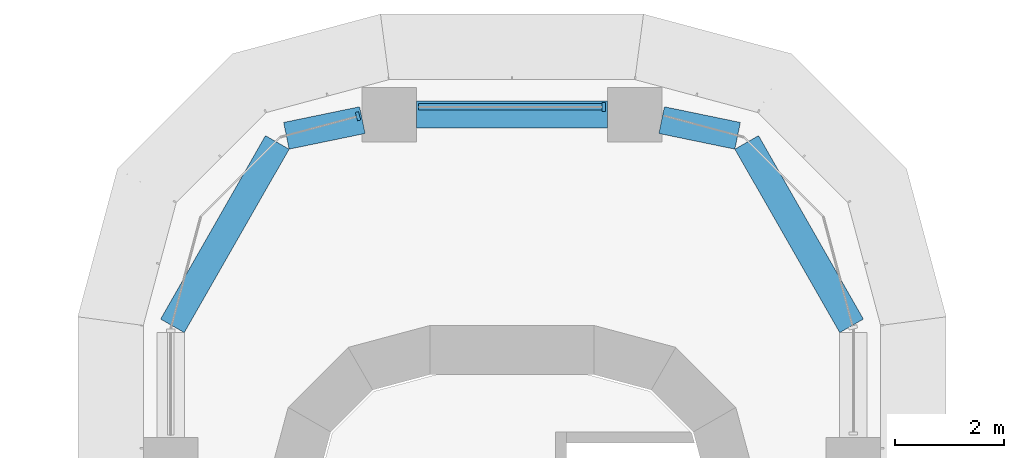
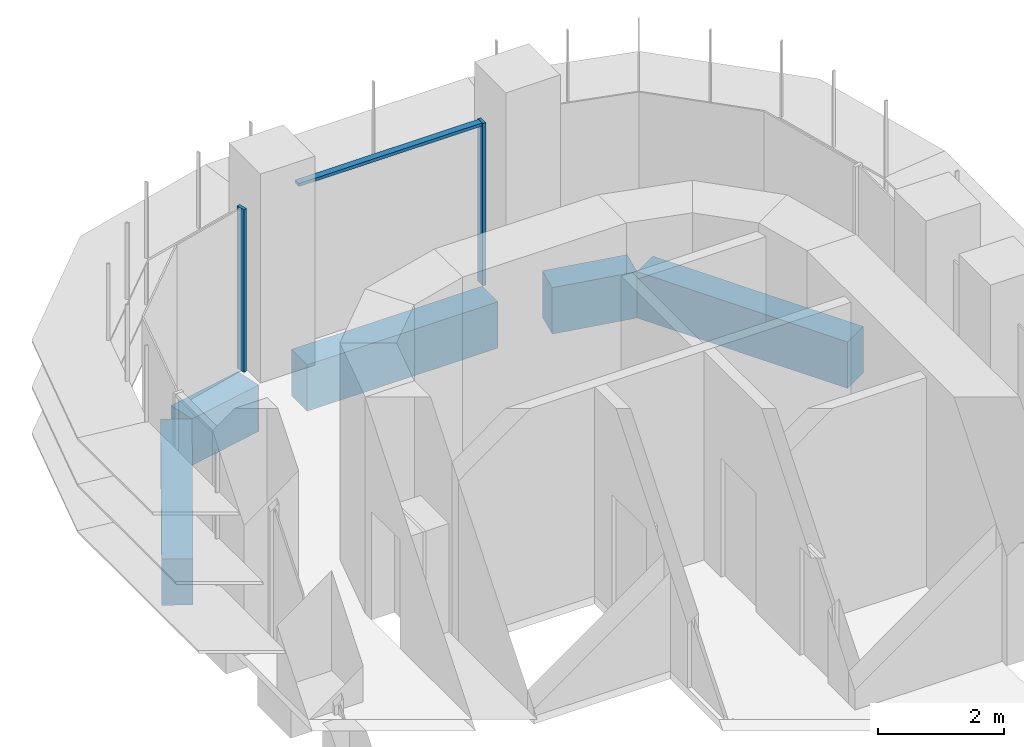
# One storey, part 12 of 23: 5 beams, 3 members, 2 elements without a shape of their own.
"""IFC4 building model written with IfcOpenShell, lengths in metres."""

from ifc_helpers import new_model, si_unit, direction, frame, origin, origin_2d, place, context, subcontext, project, spatial, polyline, rectangle, outline, extrude, source, transform, mapped, material, material_profile, profile_set, type_object, element, aggregate, save


model = new_model("IFC4")

# Units and contexts
model_context = context("Model", 3, precision=1e-05, world=origin(), true_north=direction((0.0, 1.0)))
body_context = subcontext(model_context, "Body", "Model", "MODEL_VIEW")
ifc_project = project(units=[si_unit("LENGTHUNIT", "METRE"), si_unit("AREAUNIT", "SQUARE_METRE"), si_unit("VOLUMEUNIT", "CUBIC_METRE"), si_unit("PLANEANGLEUNIT", "RADIAN"), si_unit("MASSUNIT", "GRAM", prefix="KILO")], contexts=[model_context])

# Site, building, storey
site_placement = place(None, origin())
site = spatial("IfcSite", under=ifc_project, at=site_placement, CompositionType="ELEMENT")
building_placement = place(site_placement, origin())
building = spatial("IfcBuilding", under=site, at=building_placement, Name="Zarbagh Exchange Tower", CompositionType="ELEMENT")
storey_placement = place(building_placement, frame((0.0, 0.0, 31.199951171875)))
storey = spatial("IfcBuildingStorey", under=building, at=storey_placement, Name="L06", CompositionType="ELEMENT", Elevation=31.199951171875)

# Beams
ifc_material_1 = material(Name="Concrete C60/75", Category="concrete")
ifc_material_profile = material_profile(ifc_material_1, rectangle(XDim=0.5, YDim=0.89990234375, at=origin_2d()), Name="RC spandrel beam 500 x 900 C60/75")
ifc_profile_set = profile_set([ifc_material_profile], Name="Concrete C60/75")
beam_type = type_object("IfcBeamType", Name="RC spandrel beam 500 x 900 C60/75", PredefinedType="SPANDREL", material=ifc_profile_set)
beam_1_placement = place(storey_placement, frame((-6.217041015625, 29.24169921875, -0.599853515625), z_axis=(0.496220481126, 0.868196541177, 0.0), x_axis=(-0.868196541177, 0.496220481126, 0.0)))
element("IfcBeam", 1, at=beam_1_placement, inside=storey, type_object=beam_type, Name="RC spandrel beam", PredefinedType="SPANDREL", context=body_context, shape_type="SweptSolid", body=[
    extrude(rectangle(XDim=0.5, YDim=0.89990234375, at=origin_2d()), origin(), (0.0, 0.0, 1.0), 3.869140625),
])
beam_2_placement = place(storey_placement, frame((-4.130615234375, 32.7216796875, -0.599853515625), z_axis=(0.979352054934, 0.202162193541, 0.0), x_axis=(-0.202162193541, 0.979352054934, 0.0)))
element("IfcBeam", 2, at=beam_2_placement, inside=storey, type_object=beam_type, Name="RC spandrel beam", PredefinedType="SPANDREL", context=body_context, shape_type="SweptSolid", body=[
    extrude(rectangle(XDim=0.5, YDim=0.89990234375, at=origin_2d()), origin(), (0.0, 0.0, 1.0), 1.420166015625),
])
beam_3_placement = place(storey_placement, frame((-1.75, 33.110107421875, -0.599853515625), z_axis=(1.0, 0.0, 0.0), x_axis=(0.0, 1.0, 0.0)))
element("IfcBeam", 3, at=beam_3_placement, inside=storey, type_object=beam_type, Name="RC spandrel beam", PredefinedType="SPANDREL", context=body_context, shape_type="SweptSolid", body=[
    extrude(rectangle(XDim=0.5, YDim=0.89990234375, at=origin_2d()), origin(), (0.0, 0.0, 1.0), 3.5),
])
beam_4_placement = place(storey_placement, frame((2.73974609375, 33.0087890625, -0.599853515625), z_axis=(0.979352054934, -0.202162193541, 0.0), x_axis=(0.202162193541, 0.979352054934, 0.0)))
element("IfcBeam", 4, at=beam_4_placement, inside=storey, type_object=beam_type, Name="RC spandrel beam", PredefinedType="SPANDREL", context=body_context, shape_type="SweptSolid", body=[
    extrude(rectangle(XDim=0.5, YDim=0.89990234375, at=origin_2d()), origin(), (0.0, 0.0, 1.0), 1.420166015625),
])
beam_5_placement = place(storey_placement, frame((4.297119140625, 32.600830078125, -0.599853515625), z_axis=(0.496220481126, -0.868196541177, 0.0), x_axis=(0.868196541177, 0.496220481126, 0.0)))
element("IfcBeam", 5, at=beam_5_placement, inside=storey, type_object=beam_type, Name="RC spandrel beam", PredefinedType="SPANDREL", context=body_context, shape_type="SweptSolid", body=[
    extrude(rectangle(XDim=0.5, YDim=0.89990234375, at=origin_2d()), origin(), (0.0, 0.0, 1.0), 3.869140625),
])

# Curtain wall, member
ifc_material_2 = material(Name="Anodised aluminium frame and glazing", Category="aluminium")
curtain_wall_type = type_object("IfcCurtainWallType", Name="CWA Ribbon glazing, lower zones", PredefinedType="NOTDEFINED", material=ifc_material_2)
curtain_wall_1_placement = place(storey_placement, origin())
curtain_wall_1 = element("IfcCurtainWall", 6, at=curtain_wall_1_placement, inside=storey, type_object=curtain_wall_type, Name="CWA24 curtain wall", PredefinedType="NOTDEFINED")
ifc_material_3 = material(Name="Anodised aluminium frame", Category="aluminium")
member_type_1 = type_object("IfcMemberType", Name="MUA Mullion, anodised aluminium frame", PredefinedType="MULLION", material=ifc_material_3)
shared_shape_1 = source(origin(), body_context, "Body", "SweptSolid", [
    extrude(outline(polyline([(0.0, -0.080078125), (0.06005859375, -0.080078125), (0.06005859375, 0.080078125), (0.0, 0.080078125), (0.0, -0.080078125)])), origin(), (0.0, 0.0, 1.0), 3.14990234375),
])
placement = place(storey_placement, origin())
member_1 = element("IfcMember", 7, at=placement, type_object=member_type_1, Name="CWA24 mullion 1.1", PredefinedType="MULLION", context=body_context, shape_type="MappedRepresentation", body=[
    mapped(shared_shape_1, transform((1.7099609375, 33.25, 0.0), x_axis=(-1.0, 0.0, 0.0), y_axis=(0.0, -1.0, 0.0), z_axis=(0.0, 0.0, 1.0))),
])

curtain_wall_2_placement = place(storey_placement, origin())
curtain_wall_2 = element("IfcCurtainWall", 8, at=curtain_wall_2_placement, inside=storey, type_object=curtain_wall_type, Name="CWA25 curtain wall", PredefinedType="NOTDEFINED")
member_2 = element("IfcMember", 9, at=placement, type_object=member_type_1, Name="CWA25 mullion 1.1", PredefinedType="MULLION", context=body_context, shape_type="MappedRepresentation", body=[
    mapped(shared_shape_1, transform((-2.7900390625, 33.087646484375, 0.0), x_axis=(-0.965924289636, -0.258824779902, 0.0), y_axis=(0.258824779902, -0.965924289636, 0.0), z_axis=(0.0, 0.0, 1.0))),
])
aggregate(curtain_wall_2, [member_2])

# Member
member_type_2 = type_object("IfcMemberType", Name="TRA Transom, anodised aluminium frame", PredefinedType="USERDEFINED", material=ifc_material_3)
shared_shape_2 = source(origin(), body_context, "Body", "SweptSolid", [
    extrude(outline(polyline([(-0.06005859375, -0.06005859375), (0.0, -0.06005859375), (0.0, 0.06005859375), (-0.06005859375, 0.06005859375), (-0.06005859375, -0.06005859375)])), origin(), (0.0, 0.0, 1.0), 3.360107421875),
])
member_3 = element("IfcMember", 10, at=placement, type_object=member_type_2, Name="CWA24 transom 1.1", ObjectType="TRANSOM", PredefinedType="USERDEFINED", context=body_context, shape_type="MappedRepresentation", body=[
    mapped(shared_shape_2, transform((1.64990234375, 33.25, 3.150146484375), x_axis=(0.0, 0.0, 1.0), y_axis=(0.0, 1.0, 0.0), z_axis=(-1.0, 0.0, 0.0))),
])

aggregate(curtain_wall_1, [member_1, member_3])

save(model, "model.ifc")
